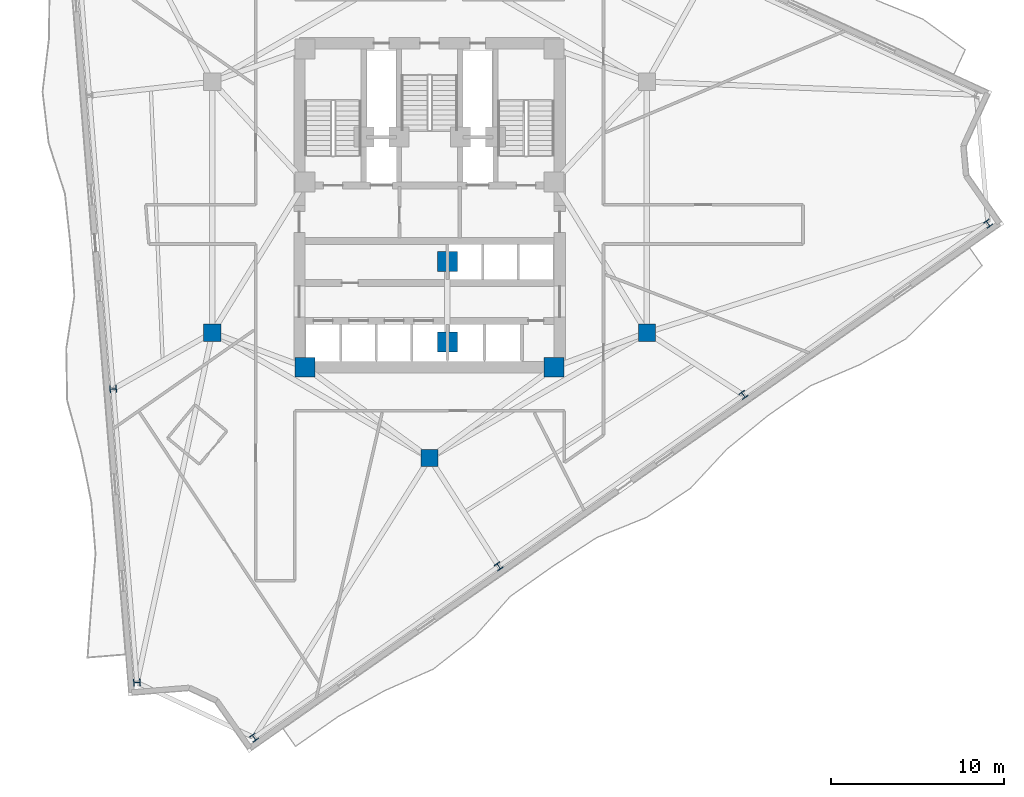
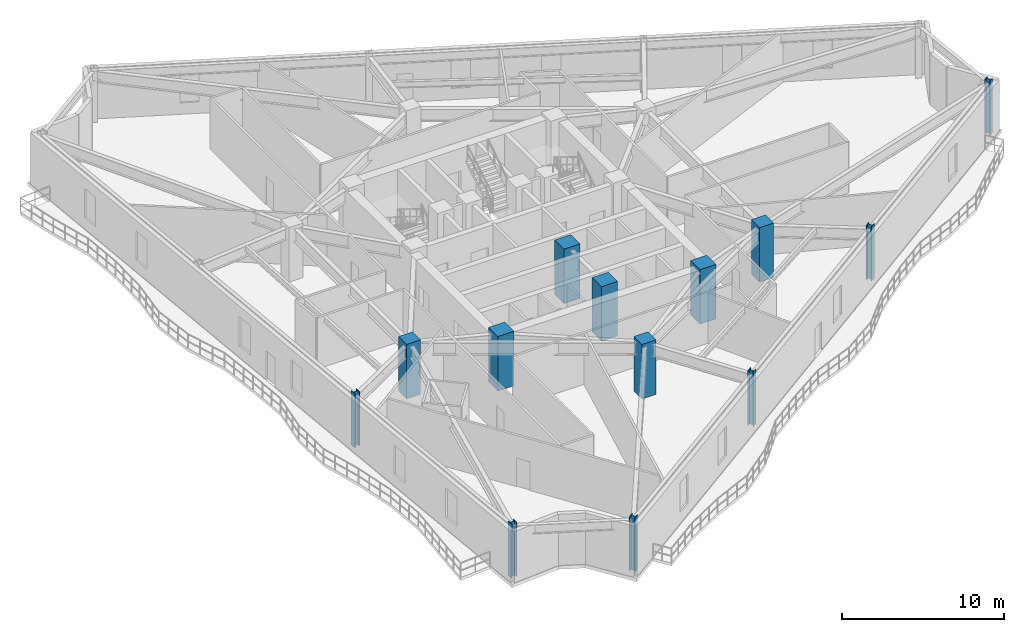
# One storey, part 1 of 11: 13 columns.
"""IFC4 building model written with IfcOpenShell, lengths in metres."""

from ifc_helpers import new_model, si_unit, direction, frame, origin, origin_2d, place, context, subcontext, project, spatial, rectangle, i_section, extrude, material, material_profile, profile_set, type_object, element, save


model = new_model("IFC4")

# Units and contexts
model_context = context("Model", 3, precision=1e-05, world=origin(), true_north=direction((0.0, 1.0)))
body_context = subcontext(model_context, "Body", "Model", "MODEL_VIEW")
ifc_project = project(units=[si_unit("LENGTHUNIT", "METRE"), si_unit("AREAUNIT", "SQUARE_METRE"), si_unit("VOLUMEUNIT", "CUBIC_METRE"), si_unit("PLANEANGLEUNIT", "RADIAN"), si_unit("MASSUNIT", "GRAM", prefix="KILO")], contexts=[model_context])

# Site, building, storey
site_placement = place(None, origin())
site = spatial("IfcSite", under=ifc_project, at=site_placement, CompositionType="ELEMENT")
building_placement = place(site_placement, origin())
building = spatial("IfcBuilding", under=site, at=building_placement, Name="Apsidion Concourse Tower", CompositionType="ELEMENT")
storey_placement = place(building_placement, frame((0.0, 0.0, 214.699951171875)))
storey = spatial("IfcBuildingStorey", under=building, at=storey_placement, Name="L50", CompositionType="ELEMENT", Elevation=214.699951171875)

# Columns
ifc_material_1 = material(Name="Concrete C50/60", Category="concrete")
ifc_material_profile_1 = material_profile(ifc_material_1, rectangle(XDim=1.0, YDim=1.0, at=origin_2d()), Name="RC 1000x1000")
ifc_profile_set_1 = profile_set([ifc_material_profile_1], Name="Concrete C50/60")
column_type_1 = type_object("IfcColumnType", Name="COL-RC-1000", PredefinedType="COLUMN", material=ifc_profile_set_1)
for number, where, z_axis, x_axis, name in (
    (1, (-12.56005859375, -7.25, 0.0), (0.0, 0.0, 1.0), (1.0, 0.0, 0.0), "L50 Interior Spine Column IC1"),
    (2, (12.56005859375, -7.25, 0.0), (0.0, 0.0, 1.0), (1.0, 0.0, 0.0), "L50 Interior Spine Column IC2"),
    (3, (0.0, -14.5, 0.0), (0.0, 0.0, 1.0), (1.0, 0.0, 0.0), "L50 Interior Spine Column IC6"),
):
    element("IfcColumn", number, at=place(storey_placement, frame(where, z_axis=z_axis, x_axis=x_axis)), inside=storey, type_object=column_type_1, Name=name, PredefinedType="COLUMN", context=body_context, shape_type="SweptSolid", body=[
        extrude(rectangle(XDim=1.0, YDim=1.0, at=origin_2d()), origin(), (0.0, 0.0, 1.0), 4.10009765625),
    ])
ifc_material_profile_2 = material_profile(ifc_material_1, rectangle(XDim=1.14990234375, YDim=1.14990234375, at=origin_2d()), Name="RC 1150x1150")
ifc_profile_set_2 = profile_set([ifc_material_profile_2], Name="Concrete C50/60")
column_type_2 = type_object("IfcColumnType", Name="COL-RC-1150", PredefinedType="COLUMN", material=ifc_profile_set_2)
for number, where, z_axis, x_axis, name in (
    (4, (-7.199951171875, -9.25, 0.0), (0.0, 0.0, 1.0), (1.0, 0.0, 0.0), "L50 Core Super-Column SC1"),
    (5, (7.199951171875, -9.25, 0.0), (0.0, 0.0, 1.0), (1.0, 0.0, 0.0), "L50 Core Super-Column SC2"),
    (6, (1.02490234375, -3.14990234375, 0.0), (0.0, 0.0, 1.0), (1.0, 0.0, 0.0), "L50 Core Super-Column CC5"),
    (7, (1.02490234375, -7.800048828125, 0.0), (0.0, 0.0, 1.0), (1.0, 0.0, 0.0), "L50 Core Super-Column CC6"),
):
    element("IfcColumn", number, at=place(storey_placement, frame(where, z_axis=z_axis, x_axis=x_axis)), inside=storey, type_object=column_type_2, Name=name, PredefinedType="COLUMN", context=body_context, shape_type="SweptSolid", body=[
        extrude(rectangle(XDim=1.14990234375, YDim=1.14990234375, at=origin_2d()), origin(), (0.0, 0.0, 1.0), 4.10009765625),
    ])
ifc_material_2 = material(Name="Structural steel ASTM A992 Grade 50", Category="steel")
ifc_material_profile_3 = material_profile(ifc_material_2, i_section(OverallWidth=0.39892578125, OverallDepth=0.385986328125, WebThickness=0.02099609375, FlangeThickness=0.033203125, at=origin_2d()), Name="W14X176")
ifc_profile_set_3 = profile_set([ifc_material_profile_3], Name="Structural steel ASTM A992 Grade 50")
column_type_3 = type_object("IfcColumnType", Name="COL-W14-176", PredefinedType="COLUMN", material=ifc_profile_set_3)
for number, where, z_axis, x_axis, name in (
    (8, (-18.28955078125, -10.510498046875, 0.0), (0.0, 0.0, 1.0), (-0.080720825512, 0.996736749763, 0.0), "L50 Rotated Perimeter Column PC03"),
    (9, (-16.915283203125, -27.47216796875, 0.0), (0.0, 0.0, 1.0), (-0.080720825512, 0.996736749763, 0.0), "L50 Rotated Perimeter Column PC04"),
    (10, (-10.14404296875, -30.65625, 0.0), (0.0, 0.0, 1.0), (0.819152044289, 0.573576436351, 0.0), "L50 Rotated Perimeter Column PC05"),
    (11, (3.996337890625, -20.755126953125, 0.0), (0.0, 0.0, 1.0), (0.819152044289, 0.573576436351, 0.0), "L50 Rotated Perimeter Column PC06"),
    (12, (18.13671875, -10.85400390625, 0.0), (0.0, 0.0, 1.0), (0.819152044289, 0.573576436351, 0.0), "L50 Rotated Perimeter Column PC07"),
    (13, (32.27685546875, -0.952880859375, 0.0), (0.0, 0.0, 1.0), (0.819152044289, 0.573576436351, 0.0), "L50 Rotated Perimeter Column PC08"),
):
    element("IfcColumn", number, at=place(storey_placement, frame(where, z_axis=z_axis, x_axis=x_axis)), inside=storey, type_object=column_type_3, Name=name, PredefinedType="COLUMN", context=body_context, shape_type="SweptSolid", body=[
        extrude(i_section(OverallWidth=0.39892578125, OverallDepth=0.385986328125, WebThickness=0.02099609375, FlangeThickness=0.033203125, at=origin_2d()), origin(), (0.0, 0.0, 1.0), 4.10009765625),
    ])

save(model, "model.ifc")
